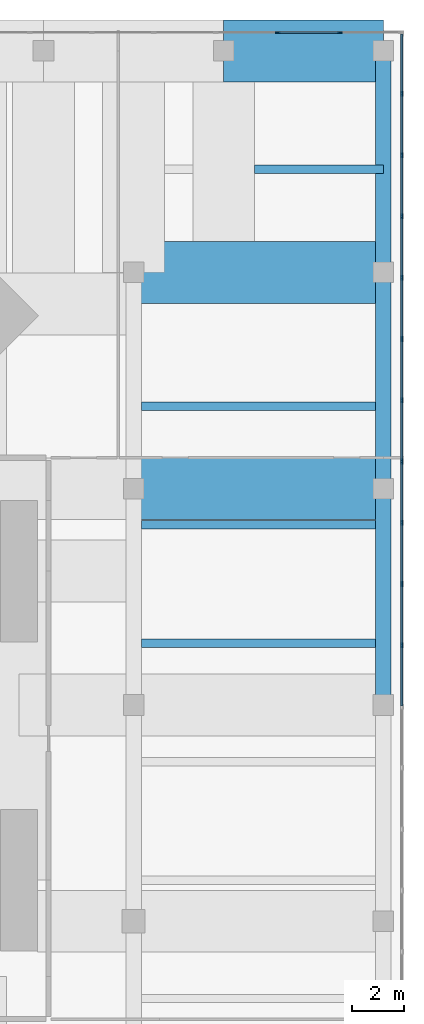
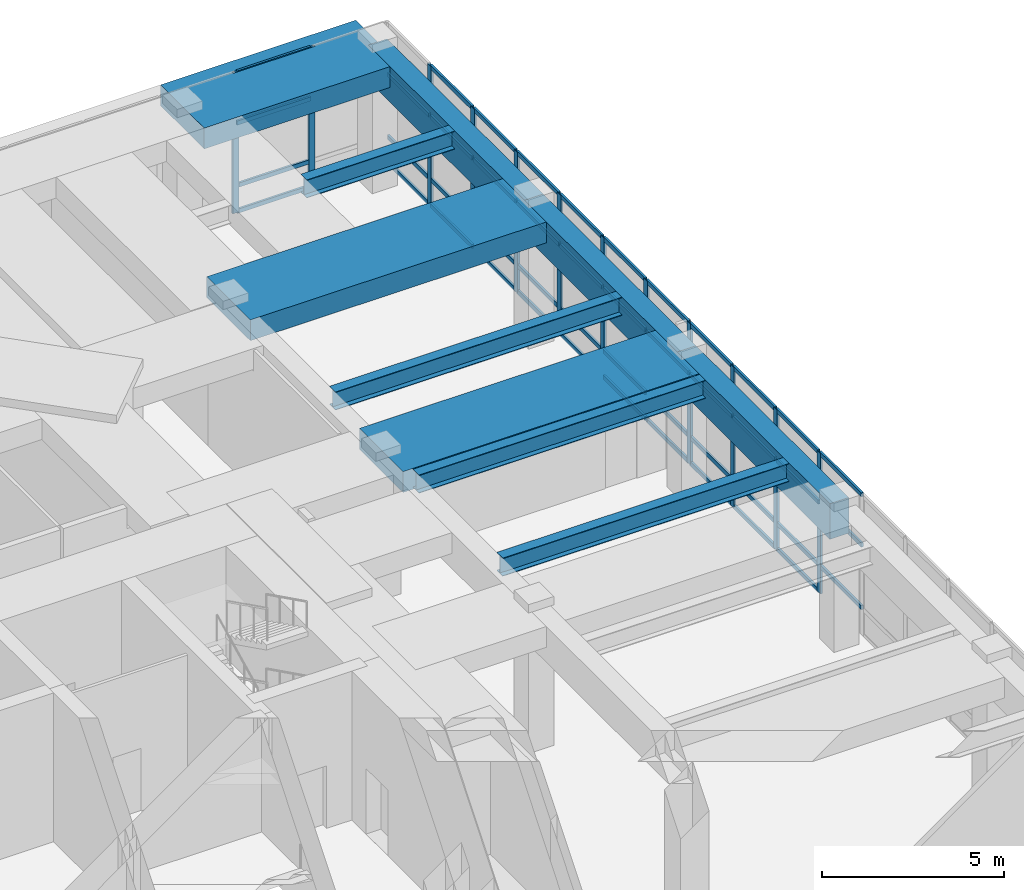
# One storey, part 12 of 24: 58 members, 10 beams, 2 elements without a shape of their own.
"""IFC4 building model written with IfcOpenShell, lengths in metres."""

from ifc_helpers import new_model, si_unit, direction, frame, origin, origin_2d, place, context, subcontext, project, spatial, rectangle, i_section, extrude, material, material_profile, profile_set, type_object, element, aggregate, save


model = new_model("IFC4")

# Units and contexts
model_context = context("Model", 3, precision=1e-05, world=origin(), true_north=direction((0.0, 1.0)))
body_context = subcontext(model_context, "Body", "Model", "MODEL_VIEW")
ifc_project = project(units=[si_unit("LENGTHUNIT", "METRE"), si_unit("AREAUNIT", "SQUARE_METRE"), si_unit("VOLUMEUNIT", "CUBIC_METRE"), si_unit("PLANEANGLEUNIT", "RADIAN"), si_unit("MASSUNIT", "GRAM", prefix="KILO")], contexts=[model_context])

# Site, building, storey
site_placement = place(None, origin())
site = spatial("IfcSite", under=ifc_project, at=site_placement, CompositionType="ELEMENT")
building_placement = place(site_placement, origin())
building = spatial("IfcBuilding", under=site, at=building_placement, Name="Jalousie Tower", CompositionType="ELEMENT")
storey_placement = place(building_placement, frame((0.0, 0.0, 11.0)))
storey = spatial("IfcBuildingStorey", under=building, at=storey_placement, Name="L02", CompositionType="ELEMENT", Elevation=11.0)

# Beams
ifc_material_1 = material(Name="Steel ASTM A992 Grade 50", Category="steel")
ifc_material_profile_1 = material_profile(ifc_material_1, i_section(OverallWidth=0.3251953125, OverallDepth=0.612060546875, WebThickness=0.0126953125, FlangeThickness=0.01904296875, at=origin_2d()), Name="W24X104")
ifc_profile_set_1 = profile_set([ifc_material_profile_1], Name="Steel ASTM A992 Grade 50")
beam_type_1 = type_object("IfcBeamType", Name="PLANT FLOOR BEAM W24X104", PredefinedType="BEAM", material=ifc_profile_set_1)
for number, where, z_axis, x_axis, name in (
    (1, (49.800048828125, 22.199951171875, 4.413818359375), (1.0, 0.0, 0.0), (0.0, 1.0, 0.0), "Plant floor beam under Air handling plant room L03"),
    (2, (49.800048828125, 26.800048828125, 4.413818359375), (1.0, 0.0, 0.0), (0.0, 1.0, 0.0), "Plant floor beam under Air handling plant room L03"),
    (3, (49.800048828125, 31.39990234375, 4.413818359375), (1.0, 0.0, 0.0), (0.0, 1.0, 0.0), "Plant floor beam under Air handling plant room L03"),
):
    element("IfcBeam", number, at=place(storey_placement, frame(where, z_axis=z_axis, x_axis=x_axis)), inside=storey, type_object=beam_type_1, Name=name, PredefinedType="BEAM", context=body_context, shape_type="SweptSolid", body=[
        extrude(i_section(OverallWidth=0.3251953125, OverallDepth=0.612060546875, WebThickness=0.0126953125, FlangeThickness=0.01904296875, at=origin_2d()), origin(), (0.0, 0.0, 1.0), 9.099853515625),
    ])
beam_1_placement = place(storey_placement, frame((54.199951171875, 40.60009765625, 4.413818359375), z_axis=(1.0, 0.0, 0.0), x_axis=(0.0, 1.0, 0.0)))
element("IfcBeam", 4, at=beam_1_placement, inside=storey, type_object=beam_type_1, Name="Plant floor beam under Air handling plant room L03", PredefinedType="BEAM", context=body_context, shape_type="SweptSolid", body=[
    extrude(i_section(OverallWidth=0.3251953125, OverallDepth=0.612060546875, WebThickness=0.0126953125, FlangeThickness=0.01904296875, at=origin_2d()), origin(), (0.0, 0.0, 1.0), 5.0),
])

# Curtain wall, members
ifc_material_2 = material(Name="Aluminium curtain wall", Category="aluminium")
curtain_wall_type = type_object("IfcCurtainWallType", Name="PODIUM WINDOW WALL", PredefinedType="USERDEFINED", material=ifc_material_2)
curtain_wall_1_placement = place(storey_placement, origin())
curtain_wall_1 = element("IfcCurtainWall", 5, at=curtain_wall_1_placement, inside=storey, type_object=curtain_wall_type, Name="Podium Window Wall L02 13", ObjectType="PODIUM WINDOW WALL", PredefinedType="USERDEFINED")
ifc_material_3 = material(Name="Aluminium mullion", Category="aluminium")
ifc_material_profile_2 = material_profile(ifc_material_3, rectangle(XDim=0.070068359375, YDim=0.199951171875, at=origin_2d()), Name="MULLION 70x200")
ifc_profile_set_2 = profile_set([ifc_material_profile_2], Name="Aluminium mullion")
member_type_1 = type_object("IfcMemberType", Name="PODIUM WINDOW WALL MULLION", PredefinedType="MULLION", material=ifc_profile_set_2)
member_1_placement = place(storey_placement, frame((59.91259765625, 22.116455078125, 0.0), z_axis=(0.0, 0.0, 1.0), x_axis=(-1.0, 0.0, 0.0)))
member_1 = element("IfcMember", 6, at=member_1_placement, type_object=member_type_1, Name="CW-P mullion 10", PredefinedType="MULLION", context=body_context, shape_type="SweptSolid", body=[
    extrude(rectangle(XDim=0.070068359375, YDim=0.199951171875, at=origin_2d()), origin(), (0.0, 0.0, 1.0), 4.719970703125),
])
member_2_placement = place(storey_placement, frame((59.91259765625, 24.49609375, 0.0), z_axis=(0.0, 0.0, 1.0), x_axis=(-1.0, 0.0, 0.0)))
member_2 = element("IfcMember", 7, at=member_2_placement, type_object=member_type_1, Name="CW-P mullion 11", PredefinedType="MULLION", context=body_context, shape_type="SweptSolid", body=[
    extrude(rectangle(XDim=0.070068359375, YDim=0.199951171875, at=origin_2d()), origin(), (0.0, 0.0, 1.0), 4.719970703125),
])
member_3_placement = place(storey_placement, frame((59.91259765625, 26.875732421875, 0.0), z_axis=(0.0, 0.0, 1.0), x_axis=(-1.0, 0.0, 0.0)))
member_3 = element("IfcMember", 8, at=member_3_placement, type_object=member_type_1, Name="CW-P mullion 12", PredefinedType="MULLION", context=body_context, shape_type="SweptSolid", body=[
    extrude(rectangle(XDim=0.070068359375, YDim=0.199951171875, at=origin_2d()), origin(), (0.0, 0.0, 1.0), 4.719970703125),
])
member_4_placement = place(storey_placement, frame((59.91259765625, 29.25537109375, 0.0), z_axis=(0.0, 0.0, 1.0), x_axis=(-1.0, 0.0, 0.0)))
member_4 = element("IfcMember", 9, at=member_4_placement, type_object=member_type_1, Name="CW-P mullion 13", PredefinedType="MULLION", context=body_context, shape_type="SweptSolid", body=[
    extrude(rectangle(XDim=0.070068359375, YDim=0.199951171875, at=origin_2d()), origin(), (0.0, 0.0, 1.0), 4.719970703125),
])
member_5_placement = place(storey_placement, frame((59.91259765625, 31.634765625, 0.0), z_axis=(0.0, 0.0, 1.0), x_axis=(-1.0, 0.0, 0.0)))
member_5 = element("IfcMember", 10, at=member_5_placement, type_object=member_type_1, Name="CW-P mullion 14", PredefinedType="MULLION", context=body_context, shape_type="SweptSolid", body=[
    extrude(rectangle(XDim=0.070068359375, YDim=0.199951171875, at=origin_2d()), origin(), (0.0, 0.0, 1.0), 4.719970703125),
])
member_6_placement = place(storey_placement, frame((59.91259765625, 34.014404296875, 0.0), z_axis=(0.0, 0.0, 1.0), x_axis=(-1.0, 0.0, 0.0)))
member_6 = element("IfcMember", 11, at=member_6_placement, type_object=member_type_1, Name="CW-P mullion 15", PredefinedType="MULLION", context=body_context, shape_type="SweptSolid", body=[
    extrude(rectangle(XDim=0.070068359375, YDim=0.199951171875, at=origin_2d()), origin(), (0.0, 0.0, 1.0), 4.719970703125),
])
member_7_placement = place(storey_placement, frame((59.91259765625, 36.39404296875, 0.0), z_axis=(0.0, 0.0, 1.0), x_axis=(-1.0, 0.0, 0.0)))
member_7 = element("IfcMember", 12, at=member_7_placement, type_object=member_type_1, Name="CW-P mullion 16", PredefinedType="MULLION", context=body_context, shape_type="SweptSolid", body=[
    extrude(rectangle(XDim=0.070068359375, YDim=0.199951171875, at=origin_2d()), origin(), (0.0, 0.0, 1.0), 4.719970703125),
])
member_8_placement = place(storey_placement, frame((59.91259765625, 38.773681640625, 0.0), z_axis=(0.0, 0.0, 1.0), x_axis=(-1.0, 0.0, 0.0)))
member_8 = element("IfcMember", 13, at=member_8_placement, type_object=member_type_1, Name="CW-P mullion 17", PredefinedType="MULLION", context=body_context, shape_type="SweptSolid", body=[
    extrude(rectangle(XDim=0.070068359375, YDim=0.199951171875, at=origin_2d()), origin(), (0.0, 0.0, 1.0), 4.719970703125),
])
member_9_placement = place(storey_placement, frame((59.91259765625, 41.1533203125, 0.0), z_axis=(0.0, 0.0, 1.0), x_axis=(-1.0, 0.0, 0.0)))
member_9 = element("IfcMember", 14, at=member_9_placement, type_object=member_type_1, Name="CW-P mullion 18", PredefinedType="MULLION", context=body_context, shape_type="SweptSolid", body=[
    extrude(rectangle(XDim=0.070068359375, YDim=0.199951171875, at=origin_2d()), origin(), (0.0, 0.0, 1.0), 4.719970703125),
])
member_10_placement = place(storey_placement, frame((59.91259765625, 43.532958984375, 0.0), z_axis=(0.0, 0.0, 1.0), x_axis=(-1.0, 0.0, 0.0)))
member_10 = element("IfcMember", 15, at=member_10_placement, type_object=member_type_1, Name="CW-P mullion 19", PredefinedType="MULLION", context=body_context, shape_type="SweptSolid", body=[
    extrude(rectangle(XDim=0.070068359375, YDim=0.199951171875, at=origin_2d()), origin(), (0.0, 0.0, 1.0), 4.719970703125),
])

curtain_wall_2_placement = place(storey_placement, origin())
curtain_wall_2 = element("IfcCurtainWall", 16, at=curtain_wall_2_placement, inside=storey, type_object=curtain_wall_type, Name="Podium Window Wall L02 21", ObjectType="PODIUM WINDOW WALL", PredefinedType="USERDEFINED")
member_11_placement = place(storey_placement, frame((57.504638671875, 45.91259765625, 0.0), z_axis=(0.0, 0.0, 1.0), x_axis=(0.0, -1.0, 0.0)))
member_11 = element("IfcMember", 17, at=member_11_placement, type_object=member_type_1, Name="CW-P mullion 2", PredefinedType="MULLION", context=body_context, shape_type="SweptSolid", body=[
    extrude(rectangle(XDim=0.070068359375, YDim=0.199951171875, at=origin_2d()), origin(), (0.0, 0.0, 1.0), 4.719970703125),
])
member_12_placement = place(storey_placement, frame((55.096923828125, 45.91259765625, 0.0), z_axis=(0.0, 0.0, 1.0), x_axis=(0.0, -1.0, 0.0)))
member_12 = element("IfcMember", 18, at=member_12_placement, type_object=member_type_1, Name="CW-P mullion 3", PredefinedType="MULLION", context=body_context, shape_type="SweptSolid", body=[
    extrude(rectangle(XDim=0.070068359375, YDim=0.199951171875, at=origin_2d()), origin(), (0.0, 0.0, 1.0), 4.719970703125),
])

# Member
ifc_material_4 = material(Name="Aluminium transom", Category="aluminium")
ifc_material_profile_3 = material_profile(ifc_material_4, rectangle(XDim=0.070068359375, YDim=0.139892578125, at=origin_2d()), Name="TRANSOM 70x140")
ifc_profile_set_3 = profile_set([ifc_material_profile_3], Name="Aluminium transom")
member_type_2 = type_object("IfcMemberType", Name="PODIUM WINDOW WALL TRANSOM", PredefinedType="USERDEFINED", material=ifc_profile_set_3)
member_13_placement = place(storey_placement, frame((59.91259765625, 19.771728515625, 0.89990234375), z_axis=(0.0, 1.0, 0.0), x_axis=(-1.0, 0.0, 0.0)))
member_13 = element("IfcMember", 19, at=member_13_placement, type_object=member_type_2, Name="CW-P transom 9.2", ObjectType="TRANSOM", PredefinedType="USERDEFINED", context=body_context, shape_type="SweptSolid", body=[
    extrude(rectangle(XDim=0.070068359375, YDim=0.139892578125, at=origin_2d()), origin(), (0.0, 0.0, 1.0), 2.309814453125),
])

member_14_placement = place(storey_placement, frame((59.91259765625, 19.771728515625, 3.0), z_axis=(0.0, 1.0, 0.0), x_axis=(-1.0, 0.0, 0.0)))
member_14 = element("IfcMember", 20, at=member_14_placement, type_object=member_type_2, Name="CW-P transom 9.3", ObjectType="TRANSOM", PredefinedType="USERDEFINED", context=body_context, shape_type="SweptSolid", body=[
    extrude(rectangle(XDim=0.070068359375, YDim=0.139892578125, at=origin_2d()), origin(), (0.0, 0.0, 1.0), 2.309814453125),
])

member_15_placement = place(storey_placement, frame((59.91259765625, 19.771728515625, 4.68505859375), z_axis=(0.0, 1.0, 0.0), x_axis=(-1.0, 0.0, 0.0)))
member_15 = element("IfcMember", 21, at=member_15_placement, type_object=member_type_2, Name="CW-P transom 9.4", ObjectType="TRANSOM", PredefinedType="USERDEFINED", context=body_context, shape_type="SweptSolid", body=[
    extrude(rectangle(XDim=0.070068359375, YDim=0.139892578125, at=origin_2d()), origin(), (0.0, 0.0, 1.0), 2.309814453125),
])

member_16_placement = place(storey_placement, frame((59.91259765625, 22.1513671875, 0.034912109375), z_axis=(0.0, 1.0, 0.0), x_axis=(-1.0, 0.0, 0.0)))
member_16 = element("IfcMember", 22, at=member_16_placement, type_object=member_type_2, Name="CW-P transom 10.1", ObjectType="TRANSOM", PredefinedType="USERDEFINED", context=body_context, shape_type="SweptSolid", body=[
    extrude(rectangle(XDim=0.070068359375, YDim=0.139892578125, at=origin_2d()), origin(), (0.0, 0.0, 1.0), 2.3095703125),
])

member_17_placement = place(storey_placement, frame((59.91259765625, 22.1513671875, 0.89990234375), z_axis=(0.0, 1.0, 0.0), x_axis=(-1.0, 0.0, 0.0)))
member_17 = element("IfcMember", 23, at=member_17_placement, type_object=member_type_2, Name="CW-P transom 10.2", ObjectType="TRANSOM", PredefinedType="USERDEFINED", context=body_context, shape_type="SweptSolid", body=[
    extrude(rectangle(XDim=0.070068359375, YDim=0.139892578125, at=origin_2d()), origin(), (0.0, 0.0, 1.0), 2.3095703125),
])

member_18_placement = place(storey_placement, frame((59.91259765625, 22.1513671875, 3.0), z_axis=(0.0, 1.0, 0.0), x_axis=(-1.0, 0.0, 0.0)))
member_18 = element("IfcMember", 24, at=member_18_placement, type_object=member_type_2, Name="CW-P transom 10.3", ObjectType="TRANSOM", PredefinedType="USERDEFINED", context=body_context, shape_type="SweptSolid", body=[
    extrude(rectangle(XDim=0.070068359375, YDim=0.139892578125, at=origin_2d()), origin(), (0.0, 0.0, 1.0), 2.3095703125),
])

member_19_placement = place(storey_placement, frame((59.91259765625, 22.1513671875, 4.68505859375), z_axis=(0.0, 1.0, 0.0), x_axis=(-1.0, 0.0, 0.0)))
member_19 = element("IfcMember", 25, at=member_19_placement, type_object=member_type_2, Name="CW-P transom 10.4", ObjectType="TRANSOM", PredefinedType="USERDEFINED", context=body_context, shape_type="SweptSolid", body=[
    extrude(rectangle(XDim=0.070068359375, YDim=0.139892578125, at=origin_2d()), origin(), (0.0, 0.0, 1.0), 2.3095703125),
])

member_20_placement = place(storey_placement, frame((59.91259765625, 24.531005859375, 0.034912109375), z_axis=(0.0, 1.0, 0.0), x_axis=(-1.0, 0.0, 0.0)))
member_20 = element("IfcMember", 26, at=member_20_placement, type_object=member_type_2, Name="CW-P transom 11.1", ObjectType="TRANSOM", PredefinedType="USERDEFINED", context=body_context, shape_type="SweptSolid", body=[
    extrude(rectangle(XDim=0.070068359375, YDim=0.139892578125, at=origin_2d()), origin(), (0.0, 0.0, 1.0), 2.3095703125),
])

member_21_placement = place(storey_placement, frame((59.91259765625, 24.531005859375, 0.89990234375), z_axis=(0.0, 1.0, 0.0), x_axis=(-1.0, 0.0, 0.0)))
member_21 = element("IfcMember", 27, at=member_21_placement, type_object=member_type_2, Name="CW-P transom 11.2", ObjectType="TRANSOM", PredefinedType="USERDEFINED", context=body_context, shape_type="SweptSolid", body=[
    extrude(rectangle(XDim=0.070068359375, YDim=0.139892578125, at=origin_2d()), origin(), (0.0, 0.0, 1.0), 2.3095703125),
])

member_22_placement = place(storey_placement, frame((59.91259765625, 24.531005859375, 3.0), z_axis=(0.0, 1.0, 0.0), x_axis=(-1.0, 0.0, 0.0)))
member_22 = element("IfcMember", 28, at=member_22_placement, type_object=member_type_2, Name="CW-P transom 11.3", ObjectType="TRANSOM", PredefinedType="USERDEFINED", context=body_context, shape_type="SweptSolid", body=[
    extrude(rectangle(XDim=0.070068359375, YDim=0.139892578125, at=origin_2d()), origin(), (0.0, 0.0, 1.0), 2.3095703125),
])

member_23_placement = place(storey_placement, frame((59.91259765625, 24.531005859375, 4.68505859375), z_axis=(0.0, 1.0, 0.0), x_axis=(-1.0, 0.0, 0.0)))
member_23 = element("IfcMember", 29, at=member_23_placement, type_object=member_type_2, Name="CW-P transom 11.4", ObjectType="TRANSOM", PredefinedType="USERDEFINED", context=body_context, shape_type="SweptSolid", body=[
    extrude(rectangle(XDim=0.070068359375, YDim=0.139892578125, at=origin_2d()), origin(), (0.0, 0.0, 1.0), 2.3095703125),
])

member_24_placement = place(storey_placement, frame((59.91259765625, 26.91064453125, 0.034912109375), z_axis=(0.0, 1.0, 0.0), x_axis=(-1.0, 0.0, 0.0)))
member_24 = element("IfcMember", 30, at=member_24_placement, type_object=member_type_2, Name="CW-P transom 12.1", ObjectType="TRANSOM", PredefinedType="USERDEFINED", context=body_context, shape_type="SweptSolid", body=[
    extrude(rectangle(XDim=0.070068359375, YDim=0.139892578125, at=origin_2d()), origin(), (0.0, 0.0, 1.0), 2.3095703125),
])

member_25_placement = place(storey_placement, frame((59.91259765625, 26.91064453125, 0.89990234375), z_axis=(0.0, 1.0, 0.0), x_axis=(-1.0, 0.0, 0.0)))
member_25 = element("IfcMember", 31, at=member_25_placement, type_object=member_type_2, Name="CW-P transom 12.2", ObjectType="TRANSOM", PredefinedType="USERDEFINED", context=body_context, shape_type="SweptSolid", body=[
    extrude(rectangle(XDim=0.070068359375, YDim=0.139892578125, at=origin_2d()), origin(), (0.0, 0.0, 1.0), 2.3095703125),
])

member_26_placement = place(storey_placement, frame((59.91259765625, 26.91064453125, 3.0), z_axis=(0.0, 1.0, 0.0), x_axis=(-1.0, 0.0, 0.0)))
member_26 = element("IfcMember", 32, at=member_26_placement, type_object=member_type_2, Name="CW-P transom 12.3", ObjectType="TRANSOM", PredefinedType="USERDEFINED", context=body_context, shape_type="SweptSolid", body=[
    extrude(rectangle(XDim=0.070068359375, YDim=0.139892578125, at=origin_2d()), origin(), (0.0, 0.0, 1.0), 2.3095703125),
])

member_27_placement = place(storey_placement, frame((59.91259765625, 26.91064453125, 4.68505859375), z_axis=(0.0, 1.0, 0.0), x_axis=(-1.0, 0.0, 0.0)))
member_27 = element("IfcMember", 33, at=member_27_placement, type_object=member_type_2, Name="CW-P transom 12.4", ObjectType="TRANSOM", PredefinedType="USERDEFINED", context=body_context, shape_type="SweptSolid", body=[
    extrude(rectangle(XDim=0.070068359375, YDim=0.139892578125, at=origin_2d()), origin(), (0.0, 0.0, 1.0), 2.3095703125),
])

member_28_placement = place(storey_placement, frame((59.91259765625, 29.290283203125, 0.034912109375), z_axis=(0.0, 1.0, 0.0), x_axis=(-1.0, 0.0, 0.0)))
member_28 = element("IfcMember", 34, at=member_28_placement, type_object=member_type_2, Name="CW-P transom 13.1", ObjectType="TRANSOM", PredefinedType="USERDEFINED", context=body_context, shape_type="SweptSolid", body=[
    extrude(rectangle(XDim=0.070068359375, YDim=0.139892578125, at=origin_2d()), origin(), (0.0, 0.0, 1.0), 2.3095703125),
])

member_29_placement = place(storey_placement, frame((59.91259765625, 29.290283203125, 0.89990234375), z_axis=(0.0, 1.0, 0.0), x_axis=(-1.0, 0.0, 0.0)))
member_29 = element("IfcMember", 35, at=member_29_placement, type_object=member_type_2, Name="CW-P transom 13.2", ObjectType="TRANSOM", PredefinedType="USERDEFINED", context=body_context, shape_type="SweptSolid", body=[
    extrude(rectangle(XDim=0.070068359375, YDim=0.139892578125, at=origin_2d()), origin(), (0.0, 0.0, 1.0), 2.3095703125),
])

member_30_placement = place(storey_placement, frame((59.91259765625, 29.290283203125, 3.0), z_axis=(0.0, 1.0, 0.0), x_axis=(-1.0, 0.0, 0.0)))
member_30 = element("IfcMember", 36, at=member_30_placement, type_object=member_type_2, Name="CW-P transom 13.3", ObjectType="TRANSOM", PredefinedType="USERDEFINED", context=body_context, shape_type="SweptSolid", body=[
    extrude(rectangle(XDim=0.070068359375, YDim=0.139892578125, at=origin_2d()), origin(), (0.0, 0.0, 1.0), 2.3095703125),
])

member_31_placement = place(storey_placement, frame((59.91259765625, 29.290283203125, 4.68505859375), z_axis=(0.0, 1.0, 0.0), x_axis=(-1.0, 0.0, 0.0)))
member_31 = element("IfcMember", 37, at=member_31_placement, type_object=member_type_2, Name="CW-P transom 13.4", ObjectType="TRANSOM", PredefinedType="USERDEFINED", context=body_context, shape_type="SweptSolid", body=[
    extrude(rectangle(XDim=0.070068359375, YDim=0.139892578125, at=origin_2d()), origin(), (0.0, 0.0, 1.0), 2.3095703125),
])

member_32_placement = place(storey_placement, frame((59.91259765625, 31.669921875, 0.034912109375), z_axis=(0.0, 1.0, 0.0), x_axis=(-1.0, 0.0, 0.0)))
member_32 = element("IfcMember", 38, at=member_32_placement, type_object=member_type_2, Name="CW-P transom 14.1", ObjectType="TRANSOM", PredefinedType="USERDEFINED", context=body_context, shape_type="SweptSolid", body=[
    extrude(rectangle(XDim=0.070068359375, YDim=0.139892578125, at=origin_2d()), origin(), (0.0, 0.0, 1.0), 2.3095703125),
])

member_33_placement = place(storey_placement, frame((59.91259765625, 31.669921875, 0.89990234375), z_axis=(0.0, 1.0, 0.0), x_axis=(-1.0, 0.0, 0.0)))
member_33 = element("IfcMember", 39, at=member_33_placement, type_object=member_type_2, Name="CW-P transom 14.2", ObjectType="TRANSOM", PredefinedType="USERDEFINED", context=body_context, shape_type="SweptSolid", body=[
    extrude(rectangle(XDim=0.070068359375, YDim=0.139892578125, at=origin_2d()), origin(), (0.0, 0.0, 1.0), 2.3095703125),
])

member_34_placement = place(storey_placement, frame((59.91259765625, 31.669921875, 3.0), z_axis=(0.0, 1.0, 0.0), x_axis=(-1.0, 0.0, 0.0)))
member_34 = element("IfcMember", 40, at=member_34_placement, type_object=member_type_2, Name="CW-P transom 14.3", ObjectType="TRANSOM", PredefinedType="USERDEFINED", context=body_context, shape_type="SweptSolid", body=[
    extrude(rectangle(XDim=0.070068359375, YDim=0.139892578125, at=origin_2d()), origin(), (0.0, 0.0, 1.0), 2.3095703125),
])

member_35_placement = place(storey_placement, frame((59.91259765625, 31.669921875, 4.68505859375), z_axis=(0.0, 1.0, 0.0), x_axis=(-1.0, 0.0, 0.0)))
member_35 = element("IfcMember", 41, at=member_35_placement, type_object=member_type_2, Name="CW-P transom 14.4", ObjectType="TRANSOM", PredefinedType="USERDEFINED", context=body_context, shape_type="SweptSolid", body=[
    extrude(rectangle(XDim=0.070068359375, YDim=0.139892578125, at=origin_2d()), origin(), (0.0, 0.0, 1.0), 2.3095703125),
])

member_36_placement = place(storey_placement, frame((59.91259765625, 34.049560546875, 0.034912109375), z_axis=(0.0, 1.0, 0.0), x_axis=(-1.0, 0.0, 0.0)))
member_36 = element("IfcMember", 42, at=member_36_placement, type_object=member_type_2, Name="CW-P transom 15.1", ObjectType="TRANSOM", PredefinedType="USERDEFINED", context=body_context, shape_type="SweptSolid", body=[
    extrude(rectangle(XDim=0.070068359375, YDim=0.139892578125, at=origin_2d()), origin(), (0.0, 0.0, 1.0), 2.3095703125),
])

member_37_placement = place(storey_placement, frame((59.91259765625, 34.049560546875, 0.89990234375), z_axis=(0.0, 1.0, 0.0), x_axis=(-1.0, 0.0, 0.0)))
member_37 = element("IfcMember", 43, at=member_37_placement, type_object=member_type_2, Name="CW-P transom 15.2", ObjectType="TRANSOM", PredefinedType="USERDEFINED", context=body_context, shape_type="SweptSolid", body=[
    extrude(rectangle(XDim=0.070068359375, YDim=0.139892578125, at=origin_2d()), origin(), (0.0, 0.0, 1.0), 2.3095703125),
])

member_38_placement = place(storey_placement, frame((59.91259765625, 34.049560546875, 3.0), z_axis=(0.0, 1.0, 0.0), x_axis=(-1.0, 0.0, 0.0)))
member_38 = element("IfcMember", 44, at=member_38_placement, type_object=member_type_2, Name="CW-P transom 15.3", ObjectType="TRANSOM", PredefinedType="USERDEFINED", context=body_context, shape_type="SweptSolid", body=[
    extrude(rectangle(XDim=0.070068359375, YDim=0.139892578125, at=origin_2d()), origin(), (0.0, 0.0, 1.0), 2.3095703125),
])

member_39_placement = place(storey_placement, frame((59.91259765625, 34.049560546875, 4.68505859375), z_axis=(0.0, 1.0, 0.0), x_axis=(-1.0, 0.0, 0.0)))
member_39 = element("IfcMember", 45, at=member_39_placement, type_object=member_type_2, Name="CW-P transom 15.4", ObjectType="TRANSOM", PredefinedType="USERDEFINED", context=body_context, shape_type="SweptSolid", body=[
    extrude(rectangle(XDim=0.070068359375, YDim=0.139892578125, at=origin_2d()), origin(), (0.0, 0.0, 1.0), 2.3095703125),
])

member_40_placement = place(storey_placement, frame((59.91259765625, 36.42919921875, 0.034912109375), z_axis=(0.0, 1.0, 0.0), x_axis=(-1.0, 0.0, 0.0)))
member_40 = element("IfcMember", 46, at=member_40_placement, type_object=member_type_2, Name="CW-P transom 16.1", ObjectType="TRANSOM", PredefinedType="USERDEFINED", context=body_context, shape_type="SweptSolid", body=[
    extrude(rectangle(XDim=0.070068359375, YDim=0.139892578125, at=origin_2d()), origin(), (0.0, 0.0, 1.0), 2.3095703125),
])

member_41_placement = place(storey_placement, frame((59.91259765625, 36.42919921875, 0.89990234375), z_axis=(0.0, 1.0, 0.0), x_axis=(-1.0, 0.0, 0.0)))
member_41 = element("IfcMember", 47, at=member_41_placement, type_object=member_type_2, Name="CW-P transom 16.2", ObjectType="TRANSOM", PredefinedType="USERDEFINED", context=body_context, shape_type="SweptSolid", body=[
    extrude(rectangle(XDim=0.070068359375, YDim=0.139892578125, at=origin_2d()), origin(), (0.0, 0.0, 1.0), 2.3095703125),
])

member_42_placement = place(storey_placement, frame((59.91259765625, 36.42919921875, 3.0), z_axis=(0.0, 1.0, 0.0), x_axis=(-1.0, 0.0, 0.0)))
member_42 = element("IfcMember", 48, at=member_42_placement, type_object=member_type_2, Name="CW-P transom 16.3", ObjectType="TRANSOM", PredefinedType="USERDEFINED", context=body_context, shape_type="SweptSolid", body=[
    extrude(rectangle(XDim=0.070068359375, YDim=0.139892578125, at=origin_2d()), origin(), (0.0, 0.0, 1.0), 2.3095703125),
])

member_43_placement = place(storey_placement, frame((59.91259765625, 36.42919921875, 4.68505859375), z_axis=(0.0, 1.0, 0.0), x_axis=(-1.0, 0.0, 0.0)))
member_43 = element("IfcMember", 49, at=member_43_placement, type_object=member_type_2, Name="CW-P transom 16.4", ObjectType="TRANSOM", PredefinedType="USERDEFINED", context=body_context, shape_type="SweptSolid", body=[
    extrude(rectangle(XDim=0.070068359375, YDim=0.139892578125, at=origin_2d()), origin(), (0.0, 0.0, 1.0), 2.3095703125),
])

member_44_placement = place(storey_placement, frame((59.91259765625, 38.80859375, 0.034912109375), z_axis=(0.0, 1.0, 0.0), x_axis=(-1.0, 0.0, 0.0)))
member_44 = element("IfcMember", 50, at=member_44_placement, type_object=member_type_2, Name="CW-P transom 17.1", ObjectType="TRANSOM", PredefinedType="USERDEFINED", context=body_context, shape_type="SweptSolid", body=[
    extrude(rectangle(XDim=0.070068359375, YDim=0.139892578125, at=origin_2d()), origin(), (0.0, 0.0, 1.0), 2.309814453125),
])

member_45_placement = place(storey_placement, frame((59.91259765625, 38.80859375, 0.89990234375), z_axis=(0.0, 1.0, 0.0), x_axis=(-1.0, 0.0, 0.0)))
member_45 = element("IfcMember", 51, at=member_45_placement, type_object=member_type_2, Name="CW-P transom 17.2", ObjectType="TRANSOM", PredefinedType="USERDEFINED", context=body_context, shape_type="SweptSolid", body=[
    extrude(rectangle(XDim=0.070068359375, YDim=0.139892578125, at=origin_2d()), origin(), (0.0, 0.0, 1.0), 2.309814453125),
])

member_46_placement = place(storey_placement, frame((59.91259765625, 38.80859375, 3.0), z_axis=(0.0, 1.0, 0.0), x_axis=(-1.0, 0.0, 0.0)))
member_46 = element("IfcMember", 52, at=member_46_placement, type_object=member_type_2, Name="CW-P transom 17.3", ObjectType="TRANSOM", PredefinedType="USERDEFINED", context=body_context, shape_type="SweptSolid", body=[
    extrude(rectangle(XDim=0.070068359375, YDim=0.139892578125, at=origin_2d()), origin(), (0.0, 0.0, 1.0), 2.309814453125),
])

member_47_placement = place(storey_placement, frame((59.91259765625, 38.80859375, 4.68505859375), z_axis=(0.0, 1.0, 0.0), x_axis=(-1.0, 0.0, 0.0)))
member_47 = element("IfcMember", 53, at=member_47_placement, type_object=member_type_2, Name="CW-P transom 17.4", ObjectType="TRANSOM", PredefinedType="USERDEFINED", context=body_context, shape_type="SweptSolid", body=[
    extrude(rectangle(XDim=0.070068359375, YDim=0.139892578125, at=origin_2d()), origin(), (0.0, 0.0, 1.0), 2.309814453125),
])

member_48_placement = place(storey_placement, frame((59.91259765625, 41.188232421875, 0.034912109375), z_axis=(0.0, 1.0, 0.0), x_axis=(-1.0, 0.0, 0.0)))
member_48 = element("IfcMember", 54, at=member_48_placement, type_object=member_type_2, Name="CW-P transom 18.1", ObjectType="TRANSOM", PredefinedType="USERDEFINED", context=body_context, shape_type="SweptSolid", body=[
    extrude(rectangle(XDim=0.070068359375, YDim=0.139892578125, at=origin_2d()), origin(), (0.0, 0.0, 1.0), 2.3095703125),
])

member_49_placement = place(storey_placement, frame((59.91259765625, 41.188232421875, 0.89990234375), z_axis=(0.0, 1.0, 0.0), x_axis=(-1.0, 0.0, 0.0)))
member_49 = element("IfcMember", 55, at=member_49_placement, type_object=member_type_2, Name="CW-P transom 18.2", ObjectType="TRANSOM", PredefinedType="USERDEFINED", context=body_context, shape_type="SweptSolid", body=[
    extrude(rectangle(XDim=0.070068359375, YDim=0.139892578125, at=origin_2d()), origin(), (0.0, 0.0, 1.0), 2.3095703125),
])

member_50_placement = place(storey_placement, frame((59.91259765625, 41.188232421875, 3.0), z_axis=(0.0, 1.0, 0.0), x_axis=(-1.0, 0.0, 0.0)))
member_50 = element("IfcMember", 56, at=member_50_placement, type_object=member_type_2, Name="CW-P transom 18.3", ObjectType="TRANSOM", PredefinedType="USERDEFINED", context=body_context, shape_type="SweptSolid", body=[
    extrude(rectangle(XDim=0.070068359375, YDim=0.139892578125, at=origin_2d()), origin(), (0.0, 0.0, 1.0), 2.3095703125),
])

member_51_placement = place(storey_placement, frame((59.91259765625, 41.188232421875, 4.68505859375), z_axis=(0.0, 1.0, 0.0), x_axis=(-1.0, 0.0, 0.0)))
member_51 = element("IfcMember", 57, at=member_51_placement, type_object=member_type_2, Name="CW-P transom 18.4", ObjectType="TRANSOM", PredefinedType="USERDEFINED", context=body_context, shape_type="SweptSolid", body=[
    extrude(rectangle(XDim=0.070068359375, YDim=0.139892578125, at=origin_2d()), origin(), (0.0, 0.0, 1.0), 2.3095703125),
])

member_52_placement = place(storey_placement, frame((59.91259765625, 43.56787109375, 0.034912109375), z_axis=(0.0, 1.0, 0.0), x_axis=(-1.0, 0.0, 0.0)))
member_52 = element("IfcMember", 58, at=member_52_placement, type_object=member_type_2, Name="CW-P transom 19.1", ObjectType="TRANSOM", PredefinedType="USERDEFINED", context=body_context, shape_type="SweptSolid", body=[
    extrude(rectangle(XDim=0.070068359375, YDim=0.139892578125, at=origin_2d()), origin(), (0.0, 0.0, 1.0), 2.274658203125),
])

member_53_placement = place(storey_placement, frame((59.91259765625, 43.56787109375, 0.89990234375), z_axis=(0.0, 1.0, 0.0), x_axis=(-1.0, 0.0, 0.0)))
member_53 = element("IfcMember", 59, at=member_53_placement, type_object=member_type_2, Name="CW-P transom 19.2", ObjectType="TRANSOM", PredefinedType="USERDEFINED", context=body_context, shape_type="SweptSolid", body=[
    extrude(rectangle(XDim=0.070068359375, YDim=0.139892578125, at=origin_2d()), origin(), (0.0, 0.0, 1.0), 2.274658203125),
])

member_54_placement = place(storey_placement, frame((59.91259765625, 43.56787109375, 3.0), z_axis=(0.0, 1.0, 0.0), x_axis=(-1.0, 0.0, 0.0)))
member_54 = element("IfcMember", 60, at=member_54_placement, type_object=member_type_2, Name="CW-P transom 19.3", ObjectType="TRANSOM", PredefinedType="USERDEFINED", context=body_context, shape_type="SweptSolid", body=[
    extrude(rectangle(XDim=0.070068359375, YDim=0.139892578125, at=origin_2d()), origin(), (0.0, 0.0, 1.0), 2.274658203125),
])

aggregate(curtain_wall_1, [member_1, member_2, member_3, member_4, member_5, member_6, member_7, member_8, member_9, member_10, member_13, member_14, member_15, member_16, member_17, member_18, member_19, member_20, member_21, member_22, member_23, member_24, member_25, member_26, member_27, member_28, member_29, member_30, member_31, member_32, member_33, member_34, member_35, member_36, member_37, member_38, member_39, member_40, member_41, member_42, member_43, member_44, member_45, member_46, member_47, member_48, member_49, member_50, member_51, member_52, member_53, member_54])

member_55_placement = place(storey_placement, frame((57.4697265625, 45.91259765625, 0.034912109375), z_axis=(-1.0, 0.0, 0.0), x_axis=(0.0, -1.0, 0.0)))
member_55 = element("IfcMember", 61, at=member_55_placement, type_object=member_type_2, Name="CW-P transom 2.1", ObjectType="TRANSOM", PredefinedType="USERDEFINED", context=body_context, shape_type="SweptSolid", body=[
    extrude(rectangle(XDim=0.070068359375, YDim=0.139892578125, at=origin_2d()), origin(), (0.0, 0.0, 1.0), 2.337646484375),
])

member_56_placement = place(storey_placement, frame((57.4697265625, 45.91259765625, 0.89990234375), z_axis=(-1.0, 0.0, 0.0), x_axis=(0.0, -1.0, 0.0)))
member_56 = element("IfcMember", 62, at=member_56_placement, type_object=member_type_2, Name="CW-P transom 2.2", ObjectType="TRANSOM", PredefinedType="USERDEFINED", context=body_context, shape_type="SweptSolid", body=[
    extrude(rectangle(XDim=0.070068359375, YDim=0.139892578125, at=origin_2d()), origin(), (0.0, 0.0, 1.0), 2.337646484375),
])

member_57_placement = place(storey_placement, frame((57.4697265625, 45.91259765625, 3.0), z_axis=(-1.0, 0.0, 0.0), x_axis=(0.0, -1.0, 0.0)))
member_57 = element("IfcMember", 63, at=member_57_placement, type_object=member_type_2, Name="CW-P transom 2.3", ObjectType="TRANSOM", PredefinedType="USERDEFINED", context=body_context, shape_type="SweptSolid", body=[
    extrude(rectangle(XDim=0.070068359375, YDim=0.139892578125, at=origin_2d()), origin(), (0.0, 0.0, 1.0), 2.337646484375),
])

member_58_placement = place(storey_placement, frame((57.4697265625, 45.91259765625, 4.68505859375), z_axis=(-1.0, 0.0, 0.0), x_axis=(0.0, -1.0, 0.0)))
member_58 = element("IfcMember", 64, at=member_58_placement, type_object=member_type_2, Name="CW-P transom 2.4", ObjectType="TRANSOM", PredefinedType="USERDEFINED", context=body_context, shape_type="SweptSolid", body=[
    extrude(rectangle(XDim=0.070068359375, YDim=0.139892578125, at=origin_2d()), origin(), (0.0, 0.0, 1.0), 2.337646484375),
])

aggregate(curtain_wall_2, [member_11, member_12, member_55, member_56, member_57, member_58])

# Beams
ifc_material_5 = material(Name="Concrete f'c 40 MPa", Category="concrete")
ifc_material_profile_4 = material_profile(ifc_material_5, rectangle(XDim=2.39990234375, YDim=0.699951171875, at=origin_2d()), Name="RC 2400x700")
ifc_profile_set_4 = profile_set([ifc_material_profile_4], Name="Concrete f'c 40 MPa")
beam_type_2 = type_object("IfcBeamType", Name="RC BEAM 2400x700", PredefinedType="BEAM", material=ifc_profile_set_4)
for number, where, z_axis, x_axis, name in (
    (65, (49.5, 28.199951171875, 4.3701171875), (1.0, 0.0, 0.0), (0.0, 1.0, 0.0), "Floor band beam under L03"),
    (66, (49.5, 36.60009765625, 4.3701171875), (1.0, 0.0, 0.0), (0.0, 1.0, 0.0), "Floor band beam under L03"),
):
    element("IfcBeam", number, at=place(storey_placement, frame(where, z_axis=z_axis, x_axis=x_axis)), inside=storey, type_object=beam_type_2, Name=name, PredefinedType="BEAM", context=body_context, shape_type="SweptSolid", body=[
        extrude(rectangle(XDim=2.39990234375, YDim=0.699951171875, at=origin_2d()), origin(), (0.0, 0.0, 1.0), 9.699951171875),
    ])
beam_2_placement = place(storey_placement, frame((53.0, 45.199951171875, 4.3701171875), z_axis=(1.0, 0.0, 0.0), x_axis=(0.0, 1.0, 0.0)))
element("IfcBeam", 67, at=beam_2_placement, inside=storey, type_object=beam_type_2, Name="Floor band beam under L03", PredefinedType="BEAM", context=body_context, shape_type="SweptSolid", body=[
    extrude(rectangle(XDim=2.39990234375, YDim=0.699951171875, at=origin_2d()), origin(), (0.0, 0.0, 1.0), 6.199951171875),
])
ifc_material_6 = material(Name="Concrete f'c 40 MPa", Category="concrete")
ifc_material_profile_5 = material_profile(ifc_material_6, rectangle(XDim=0.60009765625, YDim=1.199951171875, at=origin_2d()), Name="RC 600x1200")
ifc_profile_set_5 = profile_set([ifc_material_profile_5], Name="Concrete f'c 40 MPa")
beam_type_3 = type_object("IfcBeamType", Name="RC BEAM 600x1200", PredefinedType="BEAM", material=ifc_profile_set_5)
beam_3_placement = place(storey_placement, frame((59.199951171875, 19.800048828125, 4.1201171875), z_axis=(0.0, 1.0, 0.0), x_axis=(-1.0, 0.0, 0.0)))
element("IfcBeam", 68, at=beam_3_placement, inside=storey, type_object=beam_type_3, Name="Podium plant girder under L03 line x 59.2", PredefinedType="BEAM", context=body_context, shape_type="SweptSolid", body=[
    extrude(rectangle(XDim=0.60009765625, YDim=1.199951171875, at=origin_2d()), origin(), (0.0, 0.0, 1.0), 8.39990234375),
])
beam_4_placement = place(storey_placement, frame((59.199951171875, 28.199951171875, 4.1201171875), z_axis=(0.0, 1.0, 0.0), x_axis=(-1.0, 0.0, 0.0)))
element("IfcBeam", 69, at=beam_4_placement, inside=storey, type_object=beam_type_3, Name="Podium plant girder under L03 line x 59.2", PredefinedType="BEAM", context=body_context, shape_type="SweptSolid", body=[
    extrude(rectangle(XDim=0.60009765625, YDim=1.199951171875, at=origin_2d()), origin(), (0.0, 0.0, 1.0), 8.400146484375),
])
beam_5_placement = place(storey_placement, frame((59.199951171875, 36.60009765625, 4.1201171875), z_axis=(0.0, 1.0, 0.0), x_axis=(-1.0, 0.0, 0.0)))
element("IfcBeam", 70, at=beam_5_placement, inside=storey, type_object=beam_type_3, Name="Podium plant girder under L03 line x 59.2", PredefinedType="BEAM", context=body_context, shape_type="SweptSolid", body=[
    extrude(rectangle(XDim=0.60009765625, YDim=1.199951171875, at=origin_2d()), origin(), (0.0, 0.0, 1.0), 8.599853515625),
])

save(model, "model.ifc")
